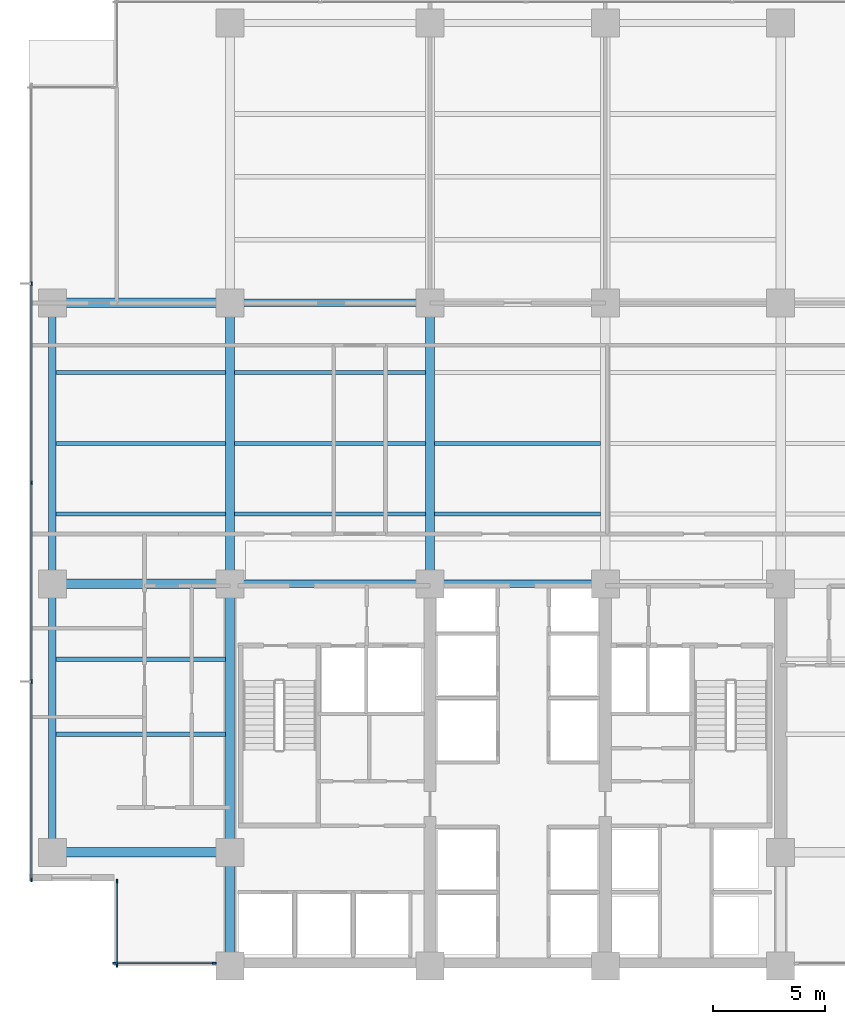
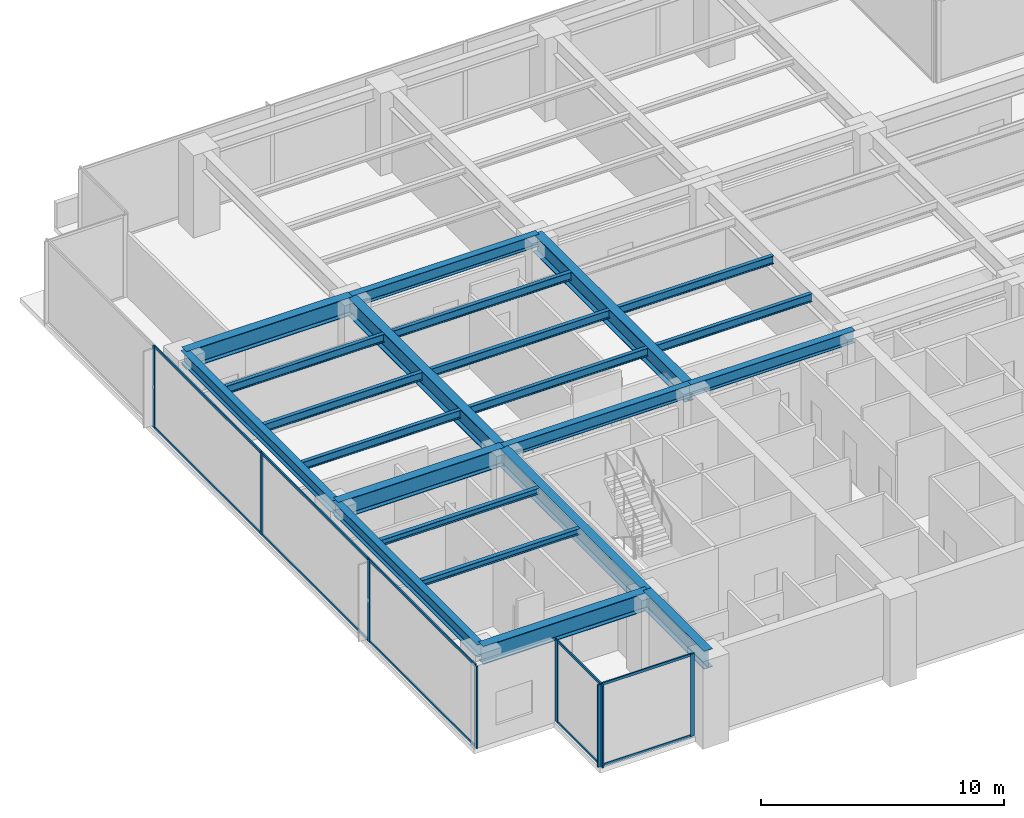
# One storey, part 2 of 16: 22 beams, 18 members, 3 elements without a shape of their own.
"""IFC4 building model written with IfcOpenShell, lengths in metres."""

from ifc_helpers import new_model, si_unit, direction, frame, origin, origin_2d, place, context, subcontext, project, spatial, rectangle, i_section, extrude, material, layer, layer_set, material_profile, profile_set, type_object, element, aggregate, save


model = new_model("IFC4")

# Units and contexts
model_context = context("Model", 3, precision=1e-05, world=origin(), true_north=direction((0.0, 1.0)))
body_context = subcontext(model_context, "Body", "Model", "MODEL_VIEW")
ifc_project = project(units=[si_unit("LENGTHUNIT", "METRE"), si_unit("AREAUNIT", "SQUARE_METRE"), si_unit("VOLUMEUNIT", "CUBIC_METRE"), si_unit("PLANEANGLEUNIT", "RADIAN"), si_unit("MASSUNIT", "GRAM", prefix="KILO")], contexts=[model_context])

# Site, building, storey
site_placement = place(None, origin())
site = spatial("IfcSite", under=ifc_project, at=site_placement, CompositionType="ELEMENT")
building_placement = place(site_placement, origin())
building = spatial("IfcBuilding", under=site, at=building_placement, Name="Qalmaran Belvedere Hotel", CompositionType="ELEMENT")
storey_placement = place(building_placement, frame((0.0, 0.0, 83.800048828125)))
storey = spatial("IfcBuildingStorey", under=building, at=storey_placement, Name="L20", CompositionType="ELEMENT", Elevation=83.800048828125)

# Beams
ifc_material_1 = material(Name="Steel S355JR", Category="steel")
ifc_material_profile_1 = material_profile(ifc_material_1, i_section(OverallWidth=0.202880859375, OverallDepth=0.302978515625, WebThickness=0.007568359375, FlangeThickness=0.01318359375, FilletRadius=0.012939453125, at=origin_2d()), Name="W310X60")
ifc_profile_set_1 = profile_set([ifc_material_profile_1], Name="Steel S355JR")
beam_type_1 = type_object("IfcBeamType", Name="BM-JST-W310X60", PredefinedType="JOIST", material=ifc_profile_set_1)
for number, where, z_axis, x_axis, name in (
    (1, (12.5615234375, 13.800048828125, 3.988525390625), (1.0, 0.0, 0.0), (0.0, 1.0, 0.0), "L20 West Wing Joist 043"),
    (2, (12.5615234375, 17.14990234375, 3.988525390625), (1.0, 0.0, 0.0), (0.0, 1.0, 0.0), "L20 West Wing Joist 045"),
):
    element("IfcBeam", number, at=place(storey_placement, frame(where, z_axis=z_axis, x_axis=x_axis)), inside=storey, type_object=beam_type_1, Name=name, PredefinedType="JOIST", context=body_context, shape_type="SweptSolid", body=[
        extrude(i_section(OverallWidth=0.202880859375, OverallDepth=0.302978515625, WebThickness=0.007568359375, FlangeThickness=0.01318359375, FilletRadius=0.012939453125, at=origin_2d()), origin(), (0.0, 0.0, 1.0), 7.531494140625),
    ])
ifc_material_profile_2 = material_profile(ifc_material_1, i_section(OverallWidth=0.41796875, OverallDepth=0.912109375, WebThickness=0.019287109375, FlangeThickness=0.031982421875, FilletRadius=0.02392578125, at=origin_2d()), Name="W920X342")
ifc_profile_set_2 = profile_set([ifc_material_profile_2], Name="Steel S355JR")
beam_type_2 = type_object("IfcBeamType", Name="BM-PG2-W920X342", PredefinedType="USERDEFINED", material=ifc_profile_set_2)
for number, where, z_axis, x_axis, name in (
    (3, (20.300048828125, 20.5, 3.683837890625), (0.0, 1.0, 0.0), (-1.0, 0.0, 0.0), "L20 Mid-Plate N-S Girder 14"),
    (4, (29.199951171875, 20.5, 3.683837890625), (0.0, 1.0, 0.0), (-1.0, 0.0, 0.0), "L20 Mid-Plate N-S Girder 16"),
):
    element("IfcBeam", number, at=place(storey_placement, frame(where, z_axis=z_axis, x_axis=x_axis)), inside=storey, type_object=beam_type_2, Name=name, ObjectType="GIRDER", PredefinedType="USERDEFINED", context=body_context, shape_type="SweptSolid", body=[
        extrude(i_section(OverallWidth=0.41796875, OverallDepth=0.912109375, WebThickness=0.019287109375, FlangeThickness=0.031982421875, FilletRadius=0.02392578125, at=origin_2d()), origin(), (0.0, 0.0, 1.0), 12.5),
    ])
for number, where, z_axis, x_axis, name in (
    (5, (12.39990234375, 8.550048828125, 3.683837890625), (1.0, 0.0, 0.0), (0.0, 1.0, 0.0), "L20 West Wing Girder 22"),
    (6, (12.39990234375, 20.5, 3.683837890625), (1.0, 0.0, 0.0), (0.0, 1.0, 0.0), "L20 West Wing Girder 23"),
    (7, (12.39990234375, 33.0, 3.683837890625), (1.0, 0.0, 0.0), (0.0, 1.0, 0.0), "L20 West Wing Girder 24"),
):
    element("IfcBeam", number, at=place(storey_placement, frame(where, z_axis=z_axis, x_axis=x_axis)), inside=storey, type_object=beam_type_2, Name=name, ObjectType="GIRDER", PredefinedType="USERDEFINED", context=body_context, shape_type="SweptSolid", body=[
        extrude(i_section(OverallWidth=0.41796875, OverallDepth=0.912109375, WebThickness=0.019287109375, FlangeThickness=0.031982421875, FilletRadius=0.02392578125, at=origin_2d()), origin(), (0.0, 0.0, 1.0), 7.900146484375),
    ])
beam_1_placement = place(storey_placement, frame((20.300048828125, 3.5, 3.683837890625), z_axis=(0.0, 1.0, 0.0), x_axis=(-1.0, 0.0, 0.0)))
element("IfcBeam", 8, at=beam_1_placement, inside=storey, type_object=beam_type_2, Name="L20 West Core Edge Girder A", ObjectType="GIRDER", PredefinedType="USERDEFINED", context=body_context, shape_type="SweptSolid", body=[
    extrude(i_section(OverallWidth=0.41796875, OverallDepth=0.912109375, WebThickness=0.019287109375, FlangeThickness=0.031982421875, FilletRadius=0.02392578125, at=origin_2d()), origin(), (0.0, 0.0, 1.0), 5.050048828125),
])
beam_2_placement = place(storey_placement, frame((20.300048828125, 8.550048828125, 3.683837890625), z_axis=(0.0, 1.0, 0.0), x_axis=(-1.0, 0.0, 0.0)))
element("IfcBeam", 9, at=beam_2_placement, inside=storey, type_object=beam_type_2, Name="L20 West Core Edge Girder B", ObjectType="GIRDER", PredefinedType="USERDEFINED", context=body_context, shape_type="SweptSolid", body=[
    extrude(i_section(OverallWidth=0.41796875, OverallDepth=0.912109375, WebThickness=0.019287109375, FlangeThickness=0.031982421875, FilletRadius=0.02392578125, at=origin_2d()), origin(), (0.0, 0.0, 1.0), 11.949951171875),
])
ifc_material_profile_3 = material_profile(ifc_material_1, i_section(OverallWidth=0.177978515625, OverallDepth=0.406982421875, WebThickness=0.0078125, FlangeThickness=0.0126953125, FilletRadius=0.014892578125, at=origin_2d()), Name="W410X60")
ifc_profile_set_3 = profile_set([ifc_material_profile_3], Name="Steel S355JR")
beam_type_3 = type_object("IfcBeamType", Name="BM-SB2-W410X60", PredefinedType="BEAM", material=ifc_profile_set_3)
beam_3_placement = place(storey_placement, frame((12.5615234375, 23.60009765625, 3.9365234375), z_axis=(1.0, 0.0, 0.0), x_axis=(0.0, 1.0, 0.0)))
element("IfcBeam", 10, at=beam_3_placement, inside=storey, type_object=beam_type_3, Name="L20 West Secondary Beam 028", PredefinedType="BEAM", context=body_context, shape_type="SweptSolid", body=[
    extrude(i_section(OverallWidth=0.177978515625, OverallDepth=0.406982421875, WebThickness=0.0078125, FlangeThickness=0.0126953125, FilletRadius=0.014892578125, at=origin_2d()), origin(), (0.0, 0.0, 1.0), 7.531494140625),
])
beam_4_placement = place(storey_placement, frame((20.507080078125, 23.60009765625, 3.9365234375), z_axis=(1.0, 0.0, 0.0), x_axis=(0.0, 1.0, 0.0)))
element("IfcBeam", 11, at=beam_4_placement, inside=storey, type_object=beam_type_3, Name="L20 Secondary Floor Beam 029", PredefinedType="BEAM", context=body_context, shape_type="SweptSolid", body=[
    extrude(i_section(OverallWidth=0.177978515625, OverallDepth=0.406982421875, WebThickness=0.0078125, FlangeThickness=0.0126953125, FilletRadius=0.014892578125, at=origin_2d()), origin(), (0.0, 0.0, 1.0), 8.48583984375),
])
beam_5_placement = place(storey_placement, frame((29.406982421875, 23.60009765625, 3.9365234375), z_axis=(1.0, 0.0, 0.0), x_axis=(0.0, 1.0, 0.0)))
element("IfcBeam", 12, at=beam_5_placement, inside=storey, type_object=beam_type_3, Name="L20 Secondary Floor Beam 030", PredefinedType="BEAM", context=body_context, shape_type="SweptSolid", body=[
    extrude(i_section(OverallWidth=0.177978515625, OverallDepth=0.406982421875, WebThickness=0.0078125, FlangeThickness=0.0126953125, FilletRadius=0.014892578125, at=origin_2d()), origin(), (0.0, 0.0, 1.0), 7.385986328125),
])
beam_6_placement = place(storey_placement, frame((12.5615234375, 26.75, 3.9365234375), z_axis=(1.0, 0.0, 0.0), x_axis=(0.0, 1.0, 0.0)))
element("IfcBeam", 13, at=beam_6_placement, inside=storey, type_object=beam_type_3, Name="L20 West Secondary Beam 033", PredefinedType="BEAM", context=body_context, shape_type="SweptSolid", body=[
    extrude(i_section(OverallWidth=0.177978515625, OverallDepth=0.406982421875, WebThickness=0.0078125, FlangeThickness=0.0126953125, FilletRadius=0.014892578125, at=origin_2d()), origin(), (0.0, 0.0, 1.0), 7.531494140625),
])
beam_7_placement = place(storey_placement, frame((20.507080078125, 26.75, 3.9365234375), z_axis=(1.0, 0.0, 0.0), x_axis=(0.0, 1.0, 0.0)))
element("IfcBeam", 14, at=beam_7_placement, inside=storey, type_object=beam_type_3, Name="L20 Secondary Floor Beam 034", PredefinedType="BEAM", context=body_context, shape_type="SweptSolid", body=[
    extrude(i_section(OverallWidth=0.177978515625, OverallDepth=0.406982421875, WebThickness=0.0078125, FlangeThickness=0.0126953125, FilletRadius=0.014892578125, at=origin_2d()), origin(), (0.0, 0.0, 1.0), 8.48583984375),
])
beam_8_placement = place(storey_placement, frame((29.406982421875, 26.75, 3.9365234375), z_axis=(1.0, 0.0, 0.0), x_axis=(0.0, 1.0, 0.0)))
element("IfcBeam", 15, at=beam_8_placement, inside=storey, type_object=beam_type_3, Name="L20 Secondary Floor Beam 035", PredefinedType="BEAM", context=body_context, shape_type="SweptSolid", body=[
    extrude(i_section(OverallWidth=0.177978515625, OverallDepth=0.406982421875, WebThickness=0.0078125, FlangeThickness=0.0126953125, FilletRadius=0.014892578125, at=origin_2d()), origin(), (0.0, 0.0, 1.0), 7.385986328125),
])
beam_9_placement = place(storey_placement, frame((12.5615234375, 29.89990234375, 3.9365234375), z_axis=(1.0, 0.0, 0.0), x_axis=(0.0, 1.0, 0.0)))
element("IfcBeam", 16, at=beam_9_placement, inside=storey, type_object=beam_type_3, Name="L20 West Secondary Beam 038", PredefinedType="BEAM", context=body_context, shape_type="SweptSolid", body=[
    extrude(i_section(OverallWidth=0.177978515625, OverallDepth=0.406982421875, WebThickness=0.0078125, FlangeThickness=0.0126953125, FilletRadius=0.014892578125, at=origin_2d()), origin(), (0.0, 0.0, 1.0), 7.531494140625),
])
beam_10_placement = place(storey_placement, frame((20.507080078125, 29.89990234375, 3.9365234375), z_axis=(1.0, 0.0, 0.0), x_axis=(0.0, 1.0, 0.0)))
element("IfcBeam", 17, at=beam_10_placement, inside=storey, type_object=beam_type_3, Name="L20 Secondary Floor Beam 039", PredefinedType="BEAM", context=body_context, shape_type="SweptSolid", body=[
    extrude(i_section(OverallWidth=0.177978515625, OverallDepth=0.406982421875, WebThickness=0.0078125, FlangeThickness=0.0126953125, FilletRadius=0.014892578125, at=origin_2d()), origin(), (0.0, 0.0, 1.0), 8.48583984375),
])
ifc_material_profile_4 = material_profile(ifc_material_1, i_section(OverallWidth=0.326904296875, OverallDepth=0.6220703125, WebThickness=0.015380859375, FlangeThickness=0.0244140625, FilletRadius=0.02001953125, at=origin_2d()), Name="W610X195")
ifc_profile_set_4 = profile_set([ifc_material_profile_4], Name="Steel S355JR")
beam_type_4 = type_object("IfcBeamType", Name="BM-SP1-W610X195", PredefinedType="SPANDREL", material=ifc_profile_set_4)
beam_11_placement = place(storey_placement, frame((12.39990234375, 8.550048828125, 3.828857421875), z_axis=(0.0, 1.0, 0.0), x_axis=(-1.0, 0.0, 0.0)))
element("IfcBeam", 18, at=beam_11_placement, inside=storey, type_object=beam_type_4, Name="L20 Perimeter Spandrel 01", PredefinedType="SPANDREL", context=body_context, shape_type="SweptSolid", body=[
    extrude(i_section(OverallWidth=0.326904296875, OverallDepth=0.6220703125, WebThickness=0.015380859375, FlangeThickness=0.0244140625, FilletRadius=0.02001953125, at=origin_2d()), origin(), (0.0, 0.0, 1.0), 11.949951171875),
])
beam_12_placement = place(storey_placement, frame((12.39990234375, 20.5, 3.828857421875), z_axis=(0.0, 1.0, 0.0), x_axis=(-1.0, 0.0, 0.0)))
element("IfcBeam", 19, at=beam_12_placement, inside=storey, type_object=beam_type_4, Name="L20 Perimeter Spandrel 02", PredefinedType="SPANDREL", context=body_context, shape_type="SweptSolid", body=[
    extrude(i_section(OverallWidth=0.326904296875, OverallDepth=0.6220703125, WebThickness=0.015380859375, FlangeThickness=0.0244140625, FilletRadius=0.02001953125, at=origin_2d()), origin(), (0.0, 0.0, 1.0), 12.5),
])
ifc_material_profile_5 = material_profile(ifc_material_1, i_section(OverallWidth=0.323974609375, OverallDepth=0.611083984375, WebThickness=0.0126953125, FlangeThickness=0.01904296875, FilletRadius=0.02001953125, at=origin_2d()), Name="W610X155")
ifc_profile_set_5 = profile_set([ifc_material_profile_5], Name="Steel S355JR")
beam_type_5 = type_object("IfcBeamType", Name="BM-Z2-W610X155", PredefinedType="USERDEFINED", material=ifc_profile_set_5)
beam_13_placement = place(storey_placement, frame((20.300048828125, 20.5, 3.83447265625), z_axis=(1.0, 0.0, 0.0), x_axis=(0.0, 1.0, 0.0)))
element("IfcBeam", 20, at=beam_13_placement, inside=storey, type_object=beam_type_5, Name="L20 Interior E-W Girder 08", ObjectType="GIRDER", PredefinedType="USERDEFINED", context=body_context, shape_type="SweptSolid", body=[
    extrude(i_section(OverallWidth=0.323974609375, OverallDepth=0.611083984375, WebThickness=0.0126953125, FlangeThickness=0.01904296875, FilletRadius=0.02001953125, at=origin_2d()), origin(), (0.0, 0.0, 1.0), 8.89990234375),
])
beam_14_placement = place(storey_placement, frame((29.199951171875, 20.5, 3.83447265625), z_axis=(1.0, 0.0, 0.0), x_axis=(0.0, 1.0, 0.0)))
element("IfcBeam", 21, at=beam_14_placement, inside=storey, type_object=beam_type_5, Name="L20 Interior E-W Girder 09", ObjectType="GIRDER", PredefinedType="USERDEFINED", context=body_context, shape_type="SweptSolid", body=[
    extrude(i_section(OverallWidth=0.323974609375, OverallDepth=0.611083984375, WebThickness=0.0126953125, FlangeThickness=0.01904296875, FilletRadius=0.02001953125, at=origin_2d()), origin(), (0.0, 0.0, 1.0), 7.800048828125),
])
beam_15_placement = place(storey_placement, frame((20.300048828125, 33.0, 3.83447265625), z_axis=(1.0, 0.0, 0.0), x_axis=(0.0, 1.0, 0.0)))
element("IfcBeam", 22, at=beam_15_placement, inside=storey, type_object=beam_type_5, Name="L20 Interior E-W Girder 11", ObjectType="GIRDER", PredefinedType="USERDEFINED", context=body_context, shape_type="SweptSolid", body=[
    extrude(i_section(OverallWidth=0.323974609375, OverallDepth=0.611083984375, WebThickness=0.0126953125, FlangeThickness=0.01904296875, FilletRadius=0.02001953125, at=origin_2d()), origin(), (0.0, 0.0, 1.0), 8.89990234375),
])

# Curtain wall, members
ifc_material_2 = material(Name="Anodised Bronze Aluminium", Category="aluminium")
ifc_layer = layer(ifc_material_2, 0.199951171875, Name="Anodised Bronze Aluminium")
ifc_layer_set = layer_set([ifc_layer], Name="Anodised Bronze Aluminium")
curtain_wall_type = type_object("IfcCurtainWallType", Name="CW3-TOWER-LOWMID", PredefinedType="NOTDEFINED", material=ifc_layer_set)
curtain_wall_1_placement = place(storey_placement, origin())
curtain_wall_1 = element("IfcCurtainWall", 23, at=curtain_wall_1_placement, inside=storey, type_object=curtain_wall_type, Name="L20 Curtain Wall CW3", PredefinedType="NOTDEFINED")
ifc_material_profile_6 = material_profile(ifc_material_2, rectangle(XDim=0.070068359375, YDim=0.18994140625, at=origin_2d()), Name="CWM70X190")
ifc_profile_set_6 = profile_set([ifc_material_profile_6], Name="Anodised Bronze Aluminium")
member_type_1 = type_object("IfcMemberType", Name="CWM-70X190", PredefinedType="MULLION", material=ifc_profile_set_6)
member_1_placement = place(storey_placement, frame((15.18505859375, 3.6201171875, 0.0), z_axis=(0.0, 0.0, 1.0), x_axis=(0.0, 1.0, 0.0)))
member_1 = element("IfcMember", 24, at=member_1_placement, type_object=member_type_1, Name="CW3 mullion 1", PredefinedType="MULLION", context=body_context, shape_type="SweptSolid", body=[
    extrude(rectangle(XDim=0.070068359375, YDim=0.18994140625, at=origin_2d()), origin(), (0.0, 0.0, 1.0), 4.139892578125),
])
member_2_placement = place(storey_placement, frame((19.60009765625, 3.6201171875, 0.0), z_axis=(0.0, 0.0, 1.0), x_axis=(0.0, 1.0, 0.0)))
member_2 = element("IfcMember", 25, at=member_2_placement, type_object=member_type_1, Name="CW3 mullion 2", PredefinedType="MULLION", context=body_context, shape_type="SweptSolid", body=[
    extrude(rectangle(XDim=0.070068359375, YDim=0.18994140625, at=origin_2d()), origin(), (0.0, 0.0, 1.0), 4.139892578125),
])

curtain_wall_2_placement = place(storey_placement, origin())
curtain_wall_2 = element("IfcCurtainWall", 26, at=curtain_wall_2_placement, inside=storey, type_object=curtain_wall_type, Name="L20 Curtain Wall CW3", PredefinedType="NOTDEFINED")
member_3_placement = place(storey_placement, frame((11.469970703125, 33.85009765625, 0.0), z_axis=(0.0, 0.0, 1.0), x_axis=(1.0, 0.0, 0.0)))
member_3 = element("IfcMember", 27, at=member_3_placement, type_object=member_type_1, Name="CW3 mullion 2", PredefinedType="MULLION", context=body_context, shape_type="SweptSolid", body=[
    extrude(rectangle(XDim=0.070068359375, YDim=0.18994140625, at=origin_2d()), origin(), (0.0, 0.0, 1.0), 4.139892578125),
])
member_4_placement = place(storey_placement, frame((11.469970703125, 25.0, 0.0), z_axis=(0.0, 0.0, 1.0), x_axis=(1.0, 0.0, 0.0)))
member_4 = element("IfcMember", 28, at=member_4_placement, type_object=member_type_1, Name="CW3 mullion 3", PredefinedType="MULLION", context=body_context, shape_type="SweptSolid", body=[
    extrude(rectangle(XDim=0.070068359375, YDim=0.18994140625, at=origin_2d()), origin(), (0.0, 0.0, 1.0), 4.139892578125),
])
member_5_placement = place(storey_placement, frame((11.469970703125, 16.14990234375, 0.0), z_axis=(0.0, 0.0, 1.0), x_axis=(1.0, 0.0, 0.0)))
member_5 = element("IfcMember", 29, at=member_5_placement, type_object=member_type_1, Name="CW3 mullion 4", PredefinedType="MULLION", context=body_context, shape_type="SweptSolid", body=[
    extrude(rectangle(XDim=0.070068359375, YDim=0.18994140625, at=origin_2d()), origin(), (0.0, 0.0, 1.0), 4.139892578125),
])
member_6_placement = place(storey_placement, frame((11.469970703125, 7.3349609375, 0.0), z_axis=(0.0, 0.0, 1.0), x_axis=(1.0, 0.0, 0.0)))
member_6 = element("IfcMember", 30, at=member_6_placement, type_object=member_type_1, Name="CW3 mullion 5", PredefinedType="MULLION", context=body_context, shape_type="SweptSolid", body=[
    extrude(rectangle(XDim=0.070068359375, YDim=0.18994140625, at=origin_2d()), origin(), (0.0, 0.0, 1.0), 4.139892578125),
])

curtain_wall_3_placement = place(storey_placement, origin())
curtain_wall_3 = element("IfcCurtainWall", 31, at=curtain_wall_3_placement, inside=storey, type_object=curtain_wall_type, Name="L20 Curtain Wall CW3", PredefinedType="NOTDEFINED")
member_7_placement = place(storey_placement, frame((15.27001953125, 7.264892578125, 0.0), z_axis=(0.0, 0.0, 1.0), x_axis=(1.0, 0.0, 0.0)))
member_7 = element("IfcMember", 32, at=member_7_placement, type_object=member_type_1, Name="CW3 mullion 1", PredefinedType="MULLION", context=body_context, shape_type="SweptSolid", body=[
    extrude(rectangle(XDim=0.070068359375, YDim=0.18994140625, at=origin_2d()), origin(), (0.0, 0.0, 1.0), 4.139892578125),
])
member_8_placement = place(storey_placement, frame((15.27001953125, 3.534912109375, 0.0), z_axis=(0.0, 0.0, 1.0), x_axis=(1.0, 0.0, 0.0)))
member_8 = element("IfcMember", 33, at=member_8_placement, type_object=member_type_1, Name="CW3 mullion 2", PredefinedType="MULLION", context=body_context, shape_type="SweptSolid", body=[
    extrude(rectangle(XDim=0.070068359375, YDim=0.18994140625, at=origin_2d()), origin(), (0.0, 0.0, 1.0), 4.139892578125),
])

# Member
ifc_material_profile_7 = material_profile(ifc_material_2, rectangle(XDim=0.06494140625, YDim=0.1298828125, at=origin_2d()), Name="CWT65X130")
ifc_profile_set_7 = profile_set([ifc_material_profile_7], Name="Anodised Bronze Aluminium")
member_type_2 = type_object("IfcMemberType", Name="CWT-65X130", PredefinedType="USERDEFINED", material=ifc_profile_set_7)
member_9_placement = place(storey_placement, frame((15.219970703125, 3.6201171875, 0.032470703125), z_axis=(1.0, 0.0, 0.0), x_axis=(0.0, 1.0, 0.0)))
member_9 = element("IfcMember", 34, at=member_9_placement, type_object=member_type_2, Name="CW3 transom 1.1", ObjectType="TRANSOM", PredefinedType="USERDEFINED", context=body_context, shape_type="SweptSolid", body=[
    extrude(rectangle(XDim=0.06494140625, YDim=0.1298828125, at=origin_2d()), origin(), (0.0, 0.0, 1.0), 4.344970703125),
])

member_10_placement = place(storey_placement, frame((15.219970703125, 3.6201171875, 4.107421875), z_axis=(1.0, 0.0, 0.0), x_axis=(0.0, 1.0, 0.0)))
member_10 = element("IfcMember", 35, at=member_10_placement, type_object=member_type_2, Name="CW3 transom 1.2", ObjectType="TRANSOM", PredefinedType="USERDEFINED", context=body_context, shape_type="SweptSolid", body=[
    extrude(rectangle(XDim=0.06494140625, YDim=0.1298828125, at=origin_2d()), origin(), (0.0, 0.0, 1.0), 4.344970703125),
])

aggregate(curtain_wall_1, [member_1, member_2, member_9, member_10])

member_11_placement = place(storey_placement, frame((11.469970703125, 33.81494140625, 0.032470703125), z_axis=(0.0, -1.0, 0.0), x_axis=(1.0, 0.0, 0.0)))
member_11 = element("IfcMember", 36, at=member_11_placement, type_object=member_type_2, Name="CW3 transom 2.1", ObjectType="TRANSOM", PredefinedType="USERDEFINED", context=body_context, shape_type="SweptSolid", body=[
    extrude(rectangle(XDim=0.06494140625, YDim=0.1298828125, at=origin_2d()), origin(), (0.0, 0.0, 1.0), 8.780029296875),
])

member_12_placement = place(storey_placement, frame((11.469970703125, 33.81494140625, 4.107421875), z_axis=(0.0, -1.0, 0.0), x_axis=(1.0, 0.0, 0.0)))
member_12 = element("IfcMember", 37, at=member_12_placement, type_object=member_type_2, Name="CW3 transom 2.2", ObjectType="TRANSOM", PredefinedType="USERDEFINED", context=body_context, shape_type="SweptSolid", body=[
    extrude(rectangle(XDim=0.06494140625, YDim=0.1298828125, at=origin_2d()), origin(), (0.0, 0.0, 1.0), 8.780029296875),
])

member_13_placement = place(storey_placement, frame((11.469970703125, 24.965087890625, 0.032470703125), z_axis=(0.0, -1.0, 0.0), x_axis=(1.0, 0.0, 0.0)))
member_13 = element("IfcMember", 38, at=member_13_placement, type_object=member_type_2, Name="CW3 transom 3.1", ObjectType="TRANSOM", PredefinedType="USERDEFINED", context=body_context, shape_type="SweptSolid", body=[
    extrude(rectangle(XDim=0.06494140625, YDim=0.1298828125, at=origin_2d()), origin(), (0.0, 0.0, 1.0), 8.780029296875),
])

member_14_placement = place(storey_placement, frame((11.469970703125, 24.965087890625, 4.107421875), z_axis=(0.0, -1.0, 0.0), x_axis=(1.0, 0.0, 0.0)))
member_14 = element("IfcMember", 39, at=member_14_placement, type_object=member_type_2, Name="CW3 transom 3.2", ObjectType="TRANSOM", PredefinedType="USERDEFINED", context=body_context, shape_type="SweptSolid", body=[
    extrude(rectangle(XDim=0.06494140625, YDim=0.1298828125, at=origin_2d()), origin(), (0.0, 0.0, 1.0), 8.780029296875),
])

member_15_placement = place(storey_placement, frame((11.469970703125, 16.114990234375, 0.032470703125), z_axis=(0.0, -1.0, 0.0), x_axis=(1.0, 0.0, 0.0)))
member_15 = element("IfcMember", 40, at=member_15_placement, type_object=member_type_2, Name="CW3 transom 4.1", ObjectType="TRANSOM", PredefinedType="USERDEFINED", context=body_context, shape_type="SweptSolid", body=[
    extrude(rectangle(XDim=0.06494140625, YDim=0.1298828125, at=origin_2d()), origin(), (0.0, 0.0, 1.0), 8.744873046875),
])

member_16_placement = place(storey_placement, frame((11.469970703125, 16.114990234375, 4.107421875), z_axis=(0.0, -1.0, 0.0), x_axis=(1.0, 0.0, 0.0)))
member_16 = element("IfcMember", 41, at=member_16_placement, type_object=member_type_2, Name="CW3 transom 4.2", ObjectType="TRANSOM", PredefinedType="USERDEFINED", context=body_context, shape_type="SweptSolid", body=[
    extrude(rectangle(XDim=0.06494140625, YDim=0.1298828125, at=origin_2d()), origin(), (0.0, 0.0, 1.0), 8.744873046875),
])

aggregate(curtain_wall_2, [member_3, member_4, member_5, member_6, member_11, member_12, member_13, member_14, member_15, member_16])

member_17_placement = place(storey_placement, frame((15.27001953125, 7.22998046875, 0.032470703125), z_axis=(0.0, -1.0, 0.0), x_axis=(1.0, 0.0, 0.0)))
member_17 = element("IfcMember", 42, at=member_17_placement, type_object=member_type_2, Name="CW3 transom 1.1", ObjectType="TRANSOM", PredefinedType="USERDEFINED", context=body_context, shape_type="SweptSolid", body=[
    extrude(rectangle(XDim=0.06494140625, YDim=0.1298828125, at=origin_2d()), origin(), (0.0, 0.0, 1.0), 3.659912109375),
])

member_18_placement = place(storey_placement, frame((15.27001953125, 7.22998046875, 4.107421875), z_axis=(0.0, -1.0, 0.0), x_axis=(1.0, 0.0, 0.0)))
member_18 = element("IfcMember", 43, at=member_18_placement, type_object=member_type_2, Name="CW3 transom 1.2", ObjectType="TRANSOM", PredefinedType="USERDEFINED", context=body_context, shape_type="SweptSolid", body=[
    extrude(rectangle(XDim=0.06494140625, YDim=0.1298828125, at=origin_2d()), origin(), (0.0, 0.0, 1.0), 3.659912109375),
])

aggregate(curtain_wall_3, [member_7, member_8, member_17, member_18])

save(model, "model.ifc")
